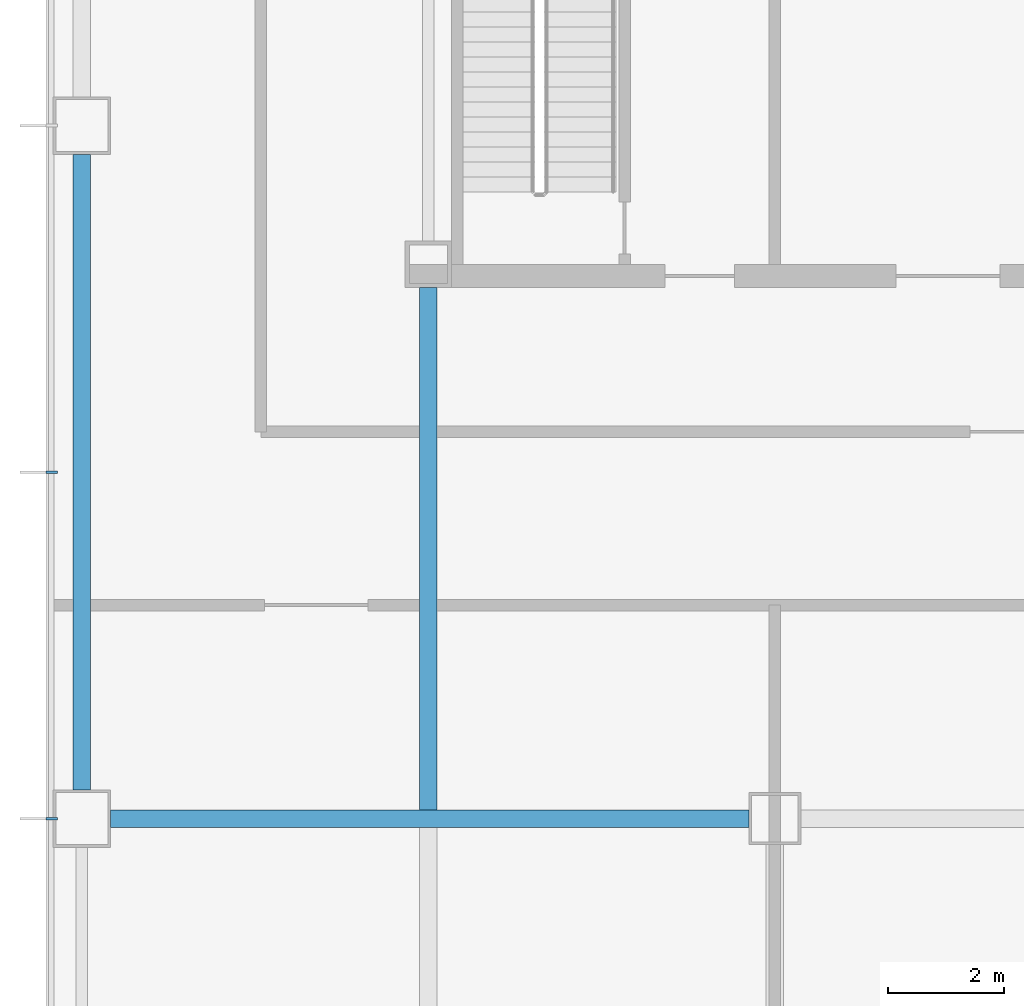
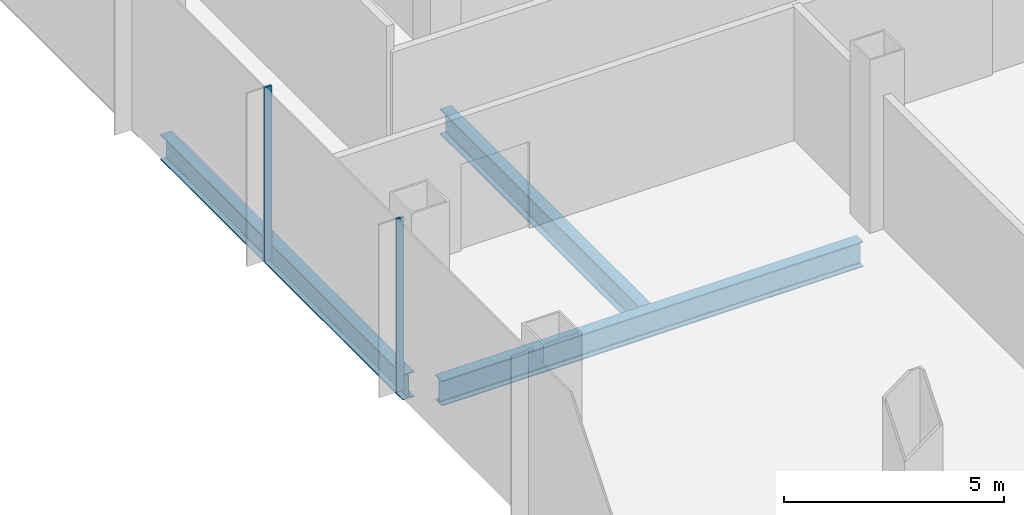
# One storey, part 4 of 33: 3 beams, 2 members, 1 element without a shape of its own.
"""IFC4 building model written with IfcOpenShell, lengths in metres."""

from ifc_helpers import new_model, si_unit, direction, frame, origin, origin_2d, place, context, subcontext, project, spatial, rectangle, i_section, extrude, material, material_profile, profile_set, type_object, element, aggregate, save


model = new_model("IFC4")

# Units and contexts
model_context = context("Model", 3, precision=1e-05, world=origin(), true_north=direction((0.0, 1.0)))
body_context = subcontext(model_context, "Body", "Model", "MODEL_VIEW")
ifc_project = project(units=[si_unit("LENGTHUNIT", "METRE"), si_unit("AREAUNIT", "SQUARE_METRE"), si_unit("VOLUMEUNIT", "CUBIC_METRE"), si_unit("PLANEANGLEUNIT", "RADIAN"), si_unit("MASSUNIT", "GRAM", prefix="KILO")], contexts=[model_context])

# Site, building, storey
site_placement = place(None, origin())
site = spatial("IfcSite", under=ifc_project, at=site_placement, CompositionType="ELEMENT")
building_placement = place(site_placement, origin())
building = spatial("IfcBuilding", under=site, at=building_placement, Name="Sorahane Residences", CompositionType="ELEMENT")
storey_placement = place(building_placement, frame((0.0, 0.0, 25.199951171875)))
storey = spatial("IfcBuildingStorey", under=building, at=storey_placement, Name="L03", CompositionType="ELEMENT", Elevation=25.199951171875)

# Curtain wall, members
ifc_material_1 = material(Name="Dark low-e glass and black anodised aluminium", Category="aluminium")
curtain_wall_type = type_object("IfcCurtainWallType", Name="Curtain wall CW-3 Podium unitised wall", PredefinedType="NOTDEFINED", material=ifc_material_1)
curtain_wall_placement = place(storey_placement, origin())
curtain_wall = element("IfcCurtainWall", 1, at=curtain_wall_placement, inside=storey, type_object=curtain_wall_type, Name="CW-3 curtain wall L03 W1", PredefinedType="NOTDEFINED")
ifc_material_2 = material(Name="Black anodised aluminium", Category="aluminium")
ifc_material_profile_1 = material_profile(ifc_material_2, rectangle(XDim=0.199951171875, YDim=0.050048828125, at=origin_2d()), Name="Curtain wall mullion CW-3 black anodised aluminium 50x200")
ifc_profile_set_1 = profile_set([ifc_material_profile_1], Name="Black anodised aluminium")
member_type = type_object("IfcMemberType", Name="Curtain wall mullion CW-3 black anodised aluminium 50x200", PredefinedType="MULLION", material=ifc_profile_set_1)
member_1_placement = place(storey_placement, frame((-0.52001953125, 18.0, -0.39990234375), z_axis=(0.0, 0.0, 1.0), x_axis=(-1.0, 0.0, 0.0)))
member_1 = element("IfcMember", 2, at=member_1_placement, type_object=member_type, Name="CW-3 mullion L03 W1.6", PredefinedType="MULLION", context=body_context, shape_type="SweptSolid", body=[
    extrude(rectangle(XDim=0.199951171875, YDim=0.050048828125, at=origin_2d()), origin(), (0.0, 0.0, 1.0), 4.800048828125),
])
member_2_placement = place(storey_placement, frame((-0.52001953125, 12.0, -0.39990234375), z_axis=(0.0, 0.0, 1.0), x_axis=(-1.0, 0.0, 0.0)))
member_2 = element("IfcMember", 3, at=member_2_placement, type_object=member_type, Name="CW-3 mullion L03 W1.7", PredefinedType="MULLION", context=body_context, shape_type="SweptSolid", body=[
    extrude(rectangle(XDim=0.199951171875, YDim=0.050048828125, at=origin_2d()), origin(), (0.0, 0.0, 1.0), 4.800048828125),
])
aggregate(curtain_wall, [member_1, member_2])

# Beams
ifc_material_3 = material(Name="Steel Q355B", Category="steel")
ifc_material_profile_2 = material_profile(ifc_material_3, i_section(OverallWidth=0.300048828125, OverallDepth=0.699951171875, WebThickness=0.012939453125, FlangeThickness=0.02392578125, FilletRadius=0.028076171875, at=origin_2d()), Name="HN 700x300x13x24")
ifc_profile_set_2 = profile_set([ifc_material_profile_2], Name="Steel Q355B")
beam_type = type_object("IfcBeamType", Name="Steel floor beam HN 700x300x13x24 Q355B", PredefinedType="BEAM", material=ifc_profile_set_2)
beam_1_placement = place(storey_placement, frame((0.5, 12.0, -0.75), z_axis=(1.0, 0.0, 0.0), x_axis=(0.0, 1.0, 0.0)))
element("IfcBeam", 4, at=beam_1_placement, inside=storey, type_object=beam_type, Name="Beam L03 008", PredefinedType="BEAM", context=body_context, shape_type="SweptSolid", body=[
    extrude(i_section(OverallWidth=0.300048828125, OverallDepth=0.699951171875, WebThickness=0.012939453125, FlangeThickness=0.02392578125, FilletRadius=0.028076171875, at=origin_2d()), origin(), (0.0, 0.0, 1.0), 11.050048828125),
])
beam_2_placement = place(storey_placement, frame((0.0, 12.5, -0.75), z_axis=(0.0, 1.0, 0.0), x_axis=(-1.0, 0.0, 0.0)))
element("IfcBeam", 5, at=beam_2_placement, inside=storey, type_object=beam_type, Name="Beam L03 026", PredefinedType="BEAM", context=body_context, shape_type="SweptSolid", body=[
    extrude(i_section(OverallWidth=0.300048828125, OverallDepth=0.699951171875, WebThickness=0.012939453125, FlangeThickness=0.02392578125, FilletRadius=0.028076171875, at=origin_2d()), origin(), (0.0, 0.0, 1.0), 11.0),
])
beam_3_placement = place(storey_placement, frame((6.0, 12.14990234375, -0.75), z_axis=(0.0, 1.0, 0.0), x_axis=(-1.0, 0.0, 0.0)))
element("IfcBeam", 6, at=beam_3_placement, inside=storey, type_object=beam_type, Name="Beam L03 030", PredefinedType="BEAM", context=body_context, shape_type="SweptSolid", body=[
    extrude(i_section(OverallWidth=0.300048828125, OverallDepth=0.699951171875, WebThickness=0.012939453125, FlangeThickness=0.02392578125, FilletRadius=0.028076171875, at=origin_2d()), origin(), (0.0, 0.0, 1.0), 9.050048828125),
])

save(model, "model.ifc")
